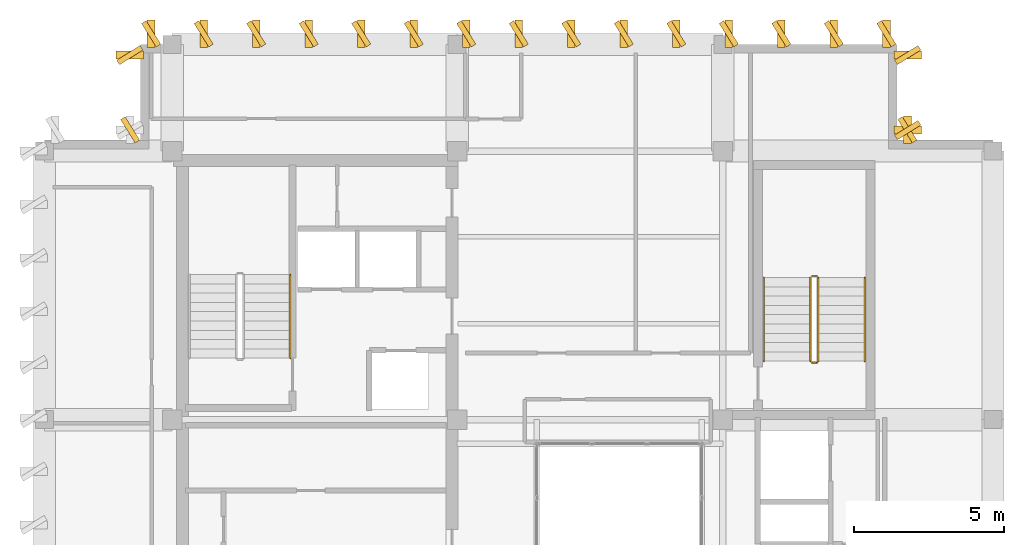
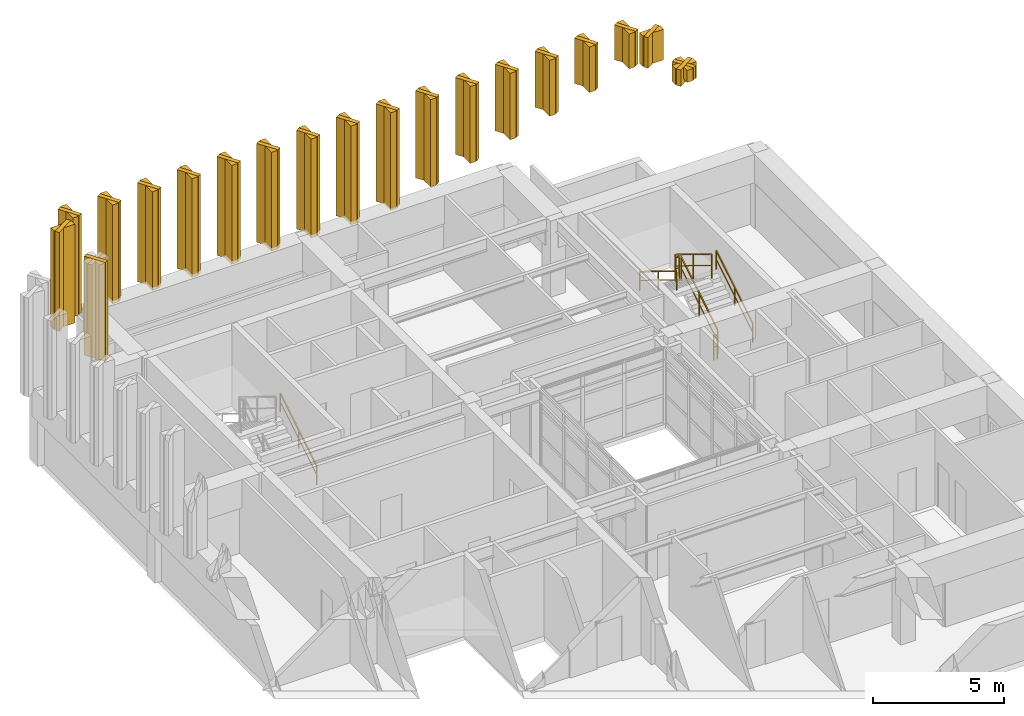
# One storey, part 11 of 11: 20 shading devices, 19 coverings, 7 railings.
"""IFC4 building model written with IfcOpenShell, lengths in metres."""

from ifc_helpers import new_model, si_unit, direction, frame, origin, origin_2d, place, context, subcontext, project, spatial, polyline, rectangle, outline, extrude, material, layer, layer_set, type_object, element, save


model = new_model("IFC4")

# Units and contexts
model_context = context("Model", 3, precision=1e-05, world=origin(), true_north=direction((0.0, 1.0)))
body_context = subcontext(model_context, "Body", "Model", "MODEL_VIEW")
ifc_project = project(units=[si_unit("LENGTHUNIT", "METRE"), si_unit("AREAUNIT", "SQUARE_METRE"), si_unit("VOLUMEUNIT", "CUBIC_METRE"), si_unit("PLANEANGLEUNIT", "RADIAN"), si_unit("MASSUNIT", "GRAM", prefix="KILO")], contexts=[model_context])

# Site, building, storey
site_placement = place(None, origin())
site = spatial("IfcSite", under=ifc_project, at=site_placement, CompositionType="ELEMENT")
building_placement = place(site_placement, origin())
building = spatial("IfcBuilding", under=site, at=building_placement, Name="Kundavana Baori Tower", CompositionType="ELEMENT")
storey_placement = place(building_placement, frame((0.0, 0.0, 346.699951171875)))
storey = spatial("IfcBuildingStorey", under=building, at=storey_placement, Name="L86", CompositionType="ELEMENT", Elevation=346.699951171875)

# Coverings
ifc_material_1 = material(Name="Cream-White Makrana Limestone on Concrete C40/50", Category="masonry")
ifc_layer = layer(ifc_material_1, 0.239990234375, Name="COV-SAIL-FIN")
ifc_layer_set = layer_set([ifc_layer], Name="Cream-White Makrana Limestone on Concrete C40/50")
covering_type = type_object("IfcCoveringType", Name="COV-SAIL-FIN", PredefinedType="CLADDING", material=ifc_layer_set)
covering_1_placement = place(storey_placement, frame((0.0, 0.0, 7.43359375)))
element("IfcCovering", 1, at=covering_1_placement, inside=storey, type_object=covering_type, Name="L86 Climbing Makrana White Limestone Sail Fin 037", PredefinedType="CLADDING", context=body_context, shape_type="SweptSolid", body=[
    extrude(outline(polyline([(39.820068359375, 42.199951171875), (40.080078125, 42.199951171875), (40.080078125, 43.1201171875), (39.820068359375, 43.1201171875), (39.820068359375, 42.199951171875)])), origin(), (0.0, 0.0, 1.0), 0.56640625),
])
covering_2_placement = place(storey_placement, frame((0.0, 0.0, 7.23876953125)))
element("IfcCovering", 2, at=covering_2_placement, inside=storey, type_object=covering_type, Name="L86 Climbing Makrana White Limestone Sail Fin 038", PredefinedType="CLADDING", context=body_context, shape_type="SweptSolid", body=[
    extrude(outline(polyline([(39.5, 42.52001953125), (40.419921875, 42.52001953125), (40.419921875, 42.780029296875), (39.5, 42.780029296875), (39.5, 42.52001953125)])), origin(), (0.0, 0.0, 1.0), 0.76123046875),
])
covering_3_placement = place(storey_placement, frame((0.0, 0.0, 6.57080078125)))
element("IfcCovering", 3, at=covering_3_placement, inside=storey, type_object=covering_type, Name="L86 Climbing Makrana White Limestone Sail Fin 039", PredefinedType="CLADDING", context=body_context, shape_type="SweptSolid", body=[
    extrude(outline(polyline([(39.5, 45.02001953125), (40.419921875, 45.02001953125), (40.419921875, 45.280029296875), (39.5, 45.280029296875), (39.5, 45.02001953125)])), origin(), (0.0, 0.0, 1.0), 1.42919921875),
])
covering_4_placement = place(storey_placement, frame((0.0, 0.0, 6.378662109375)))
element("IfcCovering", 4, at=covering_4_placement, inside=storey, type_object=covering_type, Name="L86 Climbing Makrana White Limestone Sail Fin 040", PredefinedType="CLADDING", context=body_context, shape_type="SweptSolid", body=[
    extrude(outline(polyline([(39.1201171875, 45.39990234375), (39.3798828125, 45.39990234375), (39.3798828125, 46.320068359375), (39.1201171875, 46.320068359375), (39.1201171875, 45.39990234375)])), origin(), (0.0, 0.0, 1.0), 1.621337890625),
])
covering_5_placement = place(storey_placement, frame((0.0, 0.0, 5.88427734375)))
element("IfcCovering", 5, at=covering_5_placement, inside=storey, type_object=covering_type, Name="L86 Climbing Makrana White Limestone Sail Fin 041", PredefinedType="CLADDING", context=body_context, shape_type="SweptSolid", body=[
    extrude(outline(polyline([(37.3701171875, 45.39990234375), (37.6298828125, 45.39990234375), (37.6298828125, 46.320068359375), (37.3701171875, 46.320068359375), (37.3701171875, 45.39990234375)])), origin(), (0.0, 0.0, 1.0), 2.11572265625),
])
covering_6_placement = place(storey_placement, frame((0.0, 0.0, 5.3935546875)))
element("IfcCovering", 6, at=covering_6_placement, inside=storey, type_object=covering_type, Name="L86 Climbing Makrana White Limestone Sail Fin 042", PredefinedType="CLADDING", context=body_context, shape_type="SweptSolid", body=[
    extrude(outline(polyline([(35.6201171875, 45.39990234375), (35.8798828125, 45.39990234375), (35.8798828125, 46.320068359375), (35.6201171875, 46.320068359375), (35.6201171875, 45.39990234375)])), origin(), (0.0, 0.0, 1.0), 2.6064453125),
])
covering_7_placement = place(storey_placement, frame((0.0, 0.0, 4.90625)))
element("IfcCovering", 7, at=covering_7_placement, inside=storey, type_object=covering_type, Name="L86 Climbing Makrana White Limestone Sail Fin 043", PredefinedType="CLADDING", context=body_context, shape_type="SweptSolid", body=[
    extrude(outline(polyline([(33.8701171875, 45.39990234375), (34.1298828125, 45.39990234375), (34.1298828125, 46.320068359375), (33.8701171875, 46.320068359375), (33.8701171875, 45.39990234375)])), origin(), (0.0, 0.0, 1.0), 3.09375),
])
covering_8_placement = place(storey_placement, frame((0.0, 0.0, 4.421875)))
element("IfcCovering", 8, at=covering_8_placement, inside=storey, type_object=covering_type, Name="L86 Climbing Makrana White Limestone Sail Fin 044", PredefinedType="CLADDING", context=body_context, shape_type="SweptSolid", body=[
    extrude(outline(polyline([(32.1201171875, 45.39990234375), (32.3798828125, 45.39990234375), (32.3798828125, 46.320068359375), (32.1201171875, 46.320068359375), (32.1201171875, 45.39990234375)])), origin(), (0.0, 0.0, 1.0), 3.578125),
])
covering_9_placement = place(storey_placement, frame((0.0, 0.0, 3.940673828125)))
element("IfcCovering", 9, at=covering_9_placement, inside=storey, type_object=covering_type, Name="L86 Climbing Makrana White Limestone Sail Fin 045", PredefinedType="CLADDING", context=body_context, shape_type="SweptSolid", body=[
    extrude(outline(polyline([(30.3701171875, 45.39990234375), (30.6298828125, 45.39990234375), (30.6298828125, 46.320068359375), (30.3701171875, 46.320068359375), (30.3701171875, 45.39990234375)])), origin(), (0.0, 0.0, 1.0), 4.059326171875),
])
covering_10_placement = place(storey_placement, frame((0.0, 0.0, 3.46240234375)))
element("IfcCovering", 10, at=covering_10_placement, inside=storey, type_object=covering_type, Name="L86 Climbing Makrana White Limestone Sail Fin 046", PredefinedType="CLADDING", context=body_context, shape_type="SweptSolid", body=[
    extrude(outline(polyline([(28.6201171875, 45.39990234375), (28.8798828125, 45.39990234375), (28.8798828125, 46.320068359375), (28.6201171875, 46.320068359375), (28.6201171875, 45.39990234375)])), origin(), (0.0, 0.0, 1.0), 4.53759765625),
])
covering_11_placement = place(storey_placement, frame((0.0, 0.0, 3.400146484375)))
element("IfcCovering", 11, at=covering_11_placement, inside=storey, type_object=covering_type, Name="L86 Climbing Makrana White Limestone Sail Fin 047", PredefinedType="CLADDING", context=body_context, shape_type="SweptSolid", body=[
    extrude(outline(polyline([(26.8701171875, 45.39990234375), (27.1298828125, 45.39990234375), (27.1298828125, 46.320068359375), (26.8701171875, 46.320068359375), (26.8701171875, 45.39990234375)])), origin(), (0.0, 0.0, 1.0), 4.599853515625),
])
covering_12_placement = place(storey_placement, frame((0.0, 0.0, 3.400146484375)))
element("IfcCovering", 12, at=covering_12_placement, inside=storey, type_object=covering_type, Name="L86 Climbing Makrana White Limestone Sail Fin 048", PredefinedType="CLADDING", context=body_context, shape_type="SweptSolid", body=[
    extrude(outline(polyline([(25.1201171875, 45.39990234375), (25.3798828125, 45.39990234375), (25.3798828125, 46.320068359375), (25.1201171875, 46.320068359375), (25.1201171875, 45.39990234375)])), origin(), (0.0, 0.0, 1.0), 4.599853515625),
])
covering_13_placement = place(storey_placement, frame((0.0, 0.0, 3.400146484375)))
element("IfcCovering", 13, at=covering_13_placement, inside=storey, type_object=covering_type, Name="L86 Climbing Makrana White Limestone Sail Fin 049", PredefinedType="CLADDING", context=body_context, shape_type="SweptSolid", body=[
    extrude(outline(polyline([(23.3701171875, 45.39990234375), (23.6298828125, 45.39990234375), (23.6298828125, 46.320068359375), (23.3701171875, 46.320068359375), (23.3701171875, 45.39990234375)])), origin(), (0.0, 0.0, 1.0), 4.599853515625),
])
covering_14_placement = place(storey_placement, frame((0.0, 0.0, 3.400146484375)))
element("IfcCovering", 14, at=covering_14_placement, inside=storey, type_object=covering_type, Name="L86 Climbing Makrana White Limestone Sail Fin 050", PredefinedType="CLADDING", context=body_context, shape_type="SweptSolid", body=[
    extrude(outline(polyline([(21.6201171875, 45.39990234375), (21.8798828125, 45.39990234375), (21.8798828125, 46.320068359375), (21.6201171875, 46.320068359375), (21.6201171875, 45.39990234375)])), origin(), (0.0, 0.0, 1.0), 4.599853515625),
])
covering_15_placement = place(storey_placement, frame((0.0, 0.0, 3.400146484375)))
element("IfcCovering", 15, at=covering_15_placement, inside=storey, type_object=covering_type, Name="L86 Climbing Makrana White Limestone Sail Fin 051", PredefinedType="CLADDING", context=body_context, shape_type="SweptSolid", body=[
    extrude(outline(polyline([(19.8701171875, 45.39990234375), (20.1298828125, 45.39990234375), (20.1298828125, 46.320068359375), (19.8701171875, 46.320068359375), (19.8701171875, 45.39990234375)])), origin(), (0.0, 0.0, 1.0), 4.599853515625),
])
covering_16_placement = place(storey_placement, frame((0.0, 0.0, 3.400146484375)))
element("IfcCovering", 16, at=covering_16_placement, inside=storey, type_object=covering_type, Name="L86 Climbing Makrana White Limestone Sail Fin 052", PredefinedType="CLADDING", context=body_context, shape_type="SweptSolid", body=[
    extrude(outline(polyline([(18.1201171875, 45.39990234375), (18.3798828125, 45.39990234375), (18.3798828125, 46.320068359375), (18.1201171875, 46.320068359375), (18.1201171875, 45.39990234375)])), origin(), (0.0, 0.0, 1.0), 4.599853515625),
])
covering_17_placement = place(storey_placement, frame((0.0, 0.0, 3.400146484375)))
element("IfcCovering", 17, at=covering_17_placement, inside=storey, type_object=covering_type, Name="L86 Climbing Makrana White Limestone Sail Fin 053", PredefinedType="CLADDING", context=body_context, shape_type="SweptSolid", body=[
    extrude(outline(polyline([(16.3701171875, 45.39990234375), (16.6298828125, 45.39990234375), (16.6298828125, 46.320068359375), (16.3701171875, 46.320068359375), (16.3701171875, 45.39990234375)])), origin(), (0.0, 0.0, 1.0), 4.599853515625),
])
covering_18_placement = place(storey_placement, frame((0.0, 0.0, 3.400146484375)))
element("IfcCovering", 18, at=covering_18_placement, inside=storey, type_object=covering_type, Name="L86 Climbing Makrana White Limestone Sail Fin 054", PredefinedType="CLADDING", context=body_context, shape_type="SweptSolid", body=[
    extrude(outline(polyline([(14.6201171875, 45.39990234375), (14.8798828125, 45.39990234375), (14.8798828125, 46.320068359375), (14.6201171875, 46.320068359375), (14.6201171875, 45.39990234375)])), origin(), (0.0, 0.0, 1.0), 4.599853515625),
])
covering_19_placement = place(storey_placement, frame((0.0, 0.0, 3.400146484375)))
element("IfcCovering", 19, at=covering_19_placement, inside=storey, type_object=covering_type, Name="L86 Climbing Makrana White Limestone Sail Fin 055", PredefinedType="CLADDING", context=body_context, shape_type="SweptSolid", body=[
    extrude(outline(polyline([(13.580078125, 45.02001953125), (14.5, 45.02001953125), (14.5, 45.280029296875), (13.580078125, 45.280029296875), (13.580078125, 45.02001953125)])), origin(), (0.0, 0.0, 1.0), 4.599853515625),
])

# Railings
ifc_material_2 = material(Name="Architectural Patinated Bronze Metalwork")
railing_type_1 = type_object("IfcRailingType", Name="RL-GRD-1150", PredefinedType="GUARDRAIL", material=ifc_material_2)
railing_1_placement = place(storey_placement, frame((36.97998046875, 34.949951171875, 0.18994140625)))
element("IfcRailing", 20, at=railing_1_placement, inside=storey, type_object=railing_type_1, Name="L86 ST3 stair guard 1", PredefinedType="GUARDRAIL", context=body_context, shape_type="SweptSolid", body=[
    extrude(rectangle(XDim=0.048095703125, YDim=0.048095703125, at=origin_2d()), frame((0.0, 0.0, 1.1259765625), z_axis=(0.0, 0.852576590321, 0.522602293945), x_axis=(-1.0, 0.0, 0.0)), (0.0, 0.0, 1.0), 3.2724609375),
    extrude(rectangle(XDim=0.03125, YDim=0.03125, at=origin_2d()), frame((0.0, 0.0, 0.597900390625), z_axis=(0.0, 0.852576590321, 0.522602293945), x_axis=(-1.0, 0.0, 0.0)), (0.0, 0.0, 1.0), 3.2724609375),
    extrude(rectangle(XDim=0.0419921875, YDim=0.0419921875, at=origin_2d()), origin(), (0.0, 0.0, 1.0), 1.101806640625),
    extrude(rectangle(XDim=0.0419921875, YDim=0.0419921875, at=origin_2d()), frame((0.0, 1.39501953125, 0.85498046875)), (0.0, 0.0, 1.0), 1.101806640625),
    extrude(rectangle(XDim=0.0419921875, YDim=0.0419921875, at=origin_2d()), frame((0.0, 2.7900390625, 1.710205078125)), (0.0, 0.0, 1.0), 1.101806640625),
])
railing_2_placement = place(storey_placement, frame((36.929931640625, 37.7900390625, 1.900146484375)))
element("IfcRailing", 21, at=railing_2_placement, inside=storey, type_object=railing_type_1, Name="L86 ST3 stair guard 2", PredefinedType="GUARDRAIL", context=body_context, shape_type="SweptSolid", body=[
    extrude(rectangle(XDim=0.048095703125, YDim=0.048095703125, at=origin_2d()), frame((0.0, 0.0, 1.1259765625), z_axis=(-1.0, 0.0, 0.0), x_axis=(0.0, -1.0, 0.0)), (0.0, 0.0, 1.0), 0.159912109375),
    extrude(rectangle(XDim=0.03125, YDim=0.03125, at=origin_2d()), frame((0.0, 0.0, 0.597900390625), z_axis=(-1.0, 0.0, 0.0), x_axis=(0.0, -1.0, 0.0)), (0.0, 0.0, 1.0), 0.159912109375),
    extrude(rectangle(XDim=0.0419921875, YDim=0.0419921875, at=origin_2d()), origin(), (0.0, 0.0, 1.0), 1.101806640625),
    extrude(rectangle(XDim=0.0419921875, YDim=0.0419921875, at=origin_2d()), frame((-0.159912109375, 0.0, 0.0)), (0.0, 0.0, 1.0), 1.101806640625),
])
railing_3_placement = place(storey_placement, frame((36.719970703125, 37.739990234375, 2.090087890625)))
element("IfcRailing", 22, at=railing_3_placement, inside=storey, type_object=railing_type_1, Name="L86 ST3 stair guard 3", PredefinedType="GUARDRAIL", context=body_context, shape_type="SweptSolid", body=[
    extrude(rectangle(XDim=0.048095703125, YDim=0.048095703125, at=origin_2d()), frame((0.0, 0.0, 1.1259765625), z_axis=(0.0, -0.852609830418, 0.522548061975), x_axis=(1.0, 0.0, 0.0)), (0.0, 0.0, 1.0), 3.2724609375),
    extrude(rectangle(XDim=0.03125, YDim=0.03125, at=origin_2d()), frame((0.0, 0.0, 0.597900390625), z_axis=(0.0, -0.852609830418, 0.522548061975), x_axis=(1.0, 0.0, 0.0)), (0.0, 0.0, 1.0), 3.2724609375),
    extrude(rectangle(XDim=0.0419921875, YDim=0.0419921875, at=origin_2d()), origin(), (0.0, 0.0, 1.0), 1.101806640625),
    extrude(rectangle(XDim=0.0419921875, YDim=0.0419921875, at=origin_2d()), frame((0.0, -1.39501953125, 0.85498046875)), (0.0, 0.0, 1.0), 1.101806640625),
    extrude(rectangle(XDim=0.0419921875, YDim=0.0419921875, at=origin_2d()), frame((0.0, -2.7900390625, 1.7099609375)), (0.0, 0.0, 1.0), 1.101806640625),
])
railing_4_placement = place(storey_placement, frame((36.929931640625, 34.89990234375, 0.0)))
element("IfcRailing", 23, at=railing_4_placement, inside=storey, type_object=railing_type_1, Name="L86 ST3 stair guard 4", PredefinedType="GUARDRAIL", context=body_context, shape_type="SweptSolid", body=[
    extrude(rectangle(XDim=0.048095703125, YDim=0.048095703125, at=origin_2d()), frame((0.0, 0.0, 1.1259765625), z_axis=(-1.0, 0.0, 0.0), x_axis=(0.0, -1.0, 0.0)), (0.0, 0.0, 1.0), 0.159912109375),
    extrude(rectangle(XDim=0.03125, YDim=0.03125, at=origin_2d()), frame((0.0, 0.0, 0.597900390625), z_axis=(-1.0, 0.0, 0.0), x_axis=(0.0, -1.0, 0.0)), (0.0, 0.0, 1.0), 0.159912109375),
    extrude(rectangle(XDim=0.0419921875, YDim=0.0419921875, at=origin_2d()), origin(), (0.0, 0.0, 1.0), 1.101806640625),
    extrude(rectangle(XDim=0.0419921875, YDim=0.0419921875, at=origin_2d()), frame((-0.159912109375, 0.0, 0.0)), (0.0, 0.0, 1.0), 1.101806640625),
])
ifc_material_3 = material(Name="Architectural Patinated Bronze Metalwork")
railing_type_2 = type_object("IfcRailingType", Name="RL-HND-920", PredefinedType="HANDRAIL", material=ifc_material_3)
for number, where, name in (
    (24, (19.389892578125, 35.050048828125, 0.18994140625), "L86 ST2 stair handrail 1"),
    (25, (38.530029296875, 34.949951171875, 0.18994140625), "L86 ST3 stair handrail 1"),
):
    element("IfcRailing", number, at=place(storey_placement, frame(where)), inside=storey, type_object=railing_type_2, Name=name, PredefinedType="HANDRAIL", context=body_context, shape_type="SweptSolid", body=[
        extrude(rectangle(XDim=0.048095703125, YDim=0.048095703125, at=origin_2d()), frame((0.0, 0.0, 0.8759765625), z_axis=(0.0, 0.852576590321, 0.522602293945), x_axis=(-1.0, 0.0, 0.0)), (0.0, 0.0, 1.0), 3.2724609375),
        extrude(rectangle(XDim=0.03125, YDim=0.03125, at=origin_2d()), frame((0.0, 0.0, 0.468017578125), z_axis=(0.0, 0.852576590321, 0.522602293945), x_axis=(-1.0, 0.0, 0.0)), (0.0, 0.0, 1.0), 3.2724609375),
        extrude(rectangle(XDim=0.0419921875, YDim=0.0419921875, at=origin_2d()), origin(), (0.0, 0.0, 1.0), 0.851806640625),
        extrude(rectangle(XDim=0.0419921875, YDim=0.0419921875, at=origin_2d()), frame((0.0, 1.39501953125, 0.85498046875)), (0.0, 0.0, 1.0), 0.851806640625),
        extrude(rectangle(XDim=0.0419921875, YDim=0.0419921875, at=origin_2d()), frame((0.0, 2.7900390625, 1.710205078125)), (0.0, 0.0, 1.0), 0.851806640625),
    ])
railing_5_placement = place(storey_placement, frame((35.169921875, 37.739990234375, 2.090087890625)))
element("IfcRailing", 26, at=railing_5_placement, inside=storey, type_object=railing_type_2, Name="L86 ST3 stair handrail 2", PredefinedType="HANDRAIL", context=body_context, shape_type="SweptSolid", body=[
    extrude(rectangle(XDim=0.048095703125, YDim=0.048095703125, at=origin_2d()), frame((0.0, 0.0, 0.8759765625), z_axis=(0.0, -0.852609830418, 0.522548061975), x_axis=(1.0, 0.0, 0.0)), (0.0, 0.0, 1.0), 3.2724609375),
    extrude(rectangle(XDim=0.03125, YDim=0.03125, at=origin_2d()), frame((0.0, 0.0, 0.468017578125), z_axis=(0.0, -0.852609830418, 0.522548061975), x_axis=(1.0, 0.0, 0.0)), (0.0, 0.0, 1.0), 3.2724609375),
    extrude(rectangle(XDim=0.0419921875, YDim=0.0419921875, at=origin_2d()), origin(), (0.0, 0.0, 1.0), 0.851806640625),
    extrude(rectangle(XDim=0.0419921875, YDim=0.0419921875, at=origin_2d()), frame((0.0, -1.39501953125, 0.85498046875)), (0.0, 0.0, 1.0), 0.851806640625),
    extrude(rectangle(XDim=0.0419921875, YDim=0.0419921875, at=origin_2d()), frame((0.0, -2.7900390625, 1.7099609375)), (0.0, 0.0, 1.0), 0.851806640625),
])

# Shading devices
ifc_material_4 = material(Name="Red-Buff Dholpur Sandstone Cladding on Concrete C40/50", Category="masonry")
shading_device_type = type_object("IfcShadingDeviceType", Name="SHD-FIN-920", PredefinedType="JALOUSIE", material=ifc_material_4)
shading_device_1_placement = place(storey_placement, frame((39.949951171875, 42.659912109375, 7.43359375), z_axis=(0.0, 0.0, 1.0), x_axis=(0.848048096156, 0.529919264233, 0.0)))
element("IfcShadingDevice", 27, at=shading_device_1_placement, inside=storey, type_object=shading_device_type, Name="L86 Sweeping Makrana Limestone Crown Sail Blade 037", PredefinedType="JALOUSIE", context=body_context, shape_type="SweptSolid", body=[
    extrude(rectangle(XDim=0.179931640625, YDim=0.919921875, at=origin_2d()), origin(), (0.0, 0.0, 1.0), 0.56640625),
])
shading_device_2_placement = place(storey_placement, frame((39.9599609375, 42.64990234375, 7.23876953125), z_axis=(0.0, 0.0, 1.0), x_axis=(-0.529919264233, 0.848048096156, 0.0)))
element("IfcShadingDevice", 28, at=shading_device_2_placement, inside=storey, type_object=shading_device_type, Name="L86 Sweeping Makrana Limestone Crown Sail Blade 038", PredefinedType="JALOUSIE", context=body_context, shape_type="SweptSolid", body=[
    extrude(rectangle(XDim=0.179931640625, YDim=0.919921875, at=origin_2d()), origin(), (0.0, 0.0, 1.0), 0.761474609375),
])
shading_device_3_placement = place(storey_placement, frame((39.9599609375, 45.14990234375, 6.57080078125), z_axis=(0.0, 0.0, 1.0), x_axis=(-0.529919264233, 0.848048096156, 0.0)))
element("IfcShadingDevice", 29, at=shading_device_3_placement, inside=storey, type_object=shading_device_type, Name="L86 Sweeping Makrana Limestone Crown Sail Blade 039", PredefinedType="JALOUSIE", context=body_context, shape_type="SweptSolid", body=[
    extrude(rectangle(XDim=0.179931640625, YDim=0.919921875, at=origin_2d()), origin(), (0.0, 0.0, 1.0), 1.42919921875),
])
shading_device_4_placement = place(storey_placement, frame((39.25, 45.860107421875, 6.378662109375), z_axis=(0.0, 0.0, 1.0), x_axis=(0.848048096156, 0.529919264233, 0.0)))
element("IfcShadingDevice", 30, at=shading_device_4_placement, inside=storey, type_object=shading_device_type, Name="L86 Sweeping Makrana Limestone Crown Sail Blade 040", PredefinedType="JALOUSIE", context=body_context, shape_type="SweptSolid", body=[
    extrude(rectangle(XDim=0.179931640625, YDim=0.919921875, at=origin_2d()), origin(), (0.0, 0.0, 1.0), 1.62158203125),
])
shading_device_5_placement = place(storey_placement, frame((37.5, 45.860107421875, 5.88427734375), z_axis=(0.0, 0.0, 1.0), x_axis=(0.848048096156, 0.529919264233, 0.0)))
element("IfcShadingDevice", 31, at=shading_device_5_placement, inside=storey, type_object=shading_device_type, Name="L86 Sweeping Makrana Limestone Crown Sail Blade 041", PredefinedType="JALOUSIE", context=body_context, shape_type="SweptSolid", body=[
    extrude(rectangle(XDim=0.179931640625, YDim=0.919921875, at=origin_2d()), origin(), (0.0, 0.0, 1.0), 2.11572265625),
])
shading_device_6_placement = place(storey_placement, frame((35.75, 45.860107421875, 5.3935546875), z_axis=(0.0, 0.0, 1.0), x_axis=(0.848048096156, 0.529919264233, 0.0)))
element("IfcShadingDevice", 32, at=shading_device_6_placement, inside=storey, type_object=shading_device_type, Name="L86 Sweeping Makrana Limestone Crown Sail Blade 042", PredefinedType="JALOUSIE", context=body_context, shape_type="SweptSolid", body=[
    extrude(rectangle(XDim=0.179931640625, YDim=0.919921875, at=origin_2d()), origin(), (0.0, 0.0, 1.0), 2.6064453125),
])
shading_device_7_placement = place(storey_placement, frame((34.0, 45.860107421875, 4.90625), z_axis=(0.0, 0.0, 1.0), x_axis=(0.848048096156, 0.529919264233, 0.0)))
element("IfcShadingDevice", 33, at=shading_device_7_placement, inside=storey, type_object=shading_device_type, Name="L86 Sweeping Makrana Limestone Crown Sail Blade 043", PredefinedType="JALOUSIE", context=body_context, shape_type="SweptSolid", body=[
    extrude(rectangle(XDim=0.179931640625, YDim=0.919921875, at=origin_2d()), origin(), (0.0, 0.0, 1.0), 3.093994140625),
])
shading_device_8_placement = place(storey_placement, frame((32.25, 45.860107421875, 4.421875), z_axis=(0.0, 0.0, 1.0), x_axis=(0.848048096156, 0.529919264233, 0.0)))
element("IfcShadingDevice", 34, at=shading_device_8_placement, inside=storey, type_object=shading_device_type, Name="L86 Sweeping Makrana Limestone Crown Sail Blade 044", PredefinedType="JALOUSIE", context=body_context, shape_type="SweptSolid", body=[
    extrude(rectangle(XDim=0.179931640625, YDim=0.919921875, at=origin_2d()), origin(), (0.0, 0.0, 1.0), 3.578125),
])
shading_device_9_placement = place(storey_placement, frame((30.5, 45.860107421875, 3.94091796875), z_axis=(0.0, 0.0, 1.0), x_axis=(0.848048096156, 0.529919264233, 0.0)))
element("IfcShadingDevice", 35, at=shading_device_9_placement, inside=storey, type_object=shading_device_type, Name="L86 Sweeping Makrana Limestone Crown Sail Blade 045", PredefinedType="JALOUSIE", context=body_context, shape_type="SweptSolid", body=[
    extrude(rectangle(XDim=0.179931640625, YDim=0.919921875, at=origin_2d()), origin(), (0.0, 0.0, 1.0), 4.059326171875),
])
shading_device_10_placement = place(storey_placement, frame((28.75, 45.860107421875, 3.46240234375), z_axis=(0.0, 0.0, 1.0), x_axis=(0.848048096156, 0.529919264233, 0.0)))
element("IfcShadingDevice", 36, at=shading_device_10_placement, inside=storey, type_object=shading_device_type, Name="L86 Sweeping Makrana Limestone Crown Sail Blade 046", PredefinedType="JALOUSIE", context=body_context, shape_type="SweptSolid", body=[
    extrude(rectangle(XDim=0.179931640625, YDim=0.919921875, at=origin_2d()), origin(), (0.0, 0.0, 1.0), 4.53759765625),
])
for number, where, z_axis, x_axis, name in (
    (37, (27.0, 45.860107421875, 3.39990234375), (0.0, 0.0, 1.0), (0.848048096156, 0.529919264233, 0.0), "L86 Sweeping Makrana Limestone Crown Sail Blade 047"),
    (38, (25.25, 45.860107421875, 3.39990234375), (0.0, 0.0, 1.0), (0.848048096156, 0.529919264233, 0.0), "L86 Sweeping Makrana Limestone Crown Sail Blade 048"),
    (39, (23.5, 45.860107421875, 3.39990234375), (0.0, 0.0, 1.0), (0.848048096156, 0.529919264233, 0.0), "L86 Sweeping Makrana Limestone Crown Sail Blade 049"),
    (40, (21.75, 45.860107421875, 3.39990234375), (0.0, 0.0, 1.0), (0.848048096156, 0.529919264233, 0.0), "L86 Sweeping Makrana Limestone Crown Sail Blade 050"),
    (41, (20.0, 45.860107421875, 3.39990234375), (0.0, 0.0, 1.0), (0.848048096156, 0.529919264233, 0.0), "L86 Sweeping Makrana Limestone Crown Sail Blade 051"),
    (42, (18.25, 45.860107421875, 3.39990234375), (0.0, 0.0, 1.0), (0.848048096156, 0.529919264233, 0.0), "L86 Sweeping Makrana Limestone Crown Sail Blade 052"),
    (43, (16.5, 45.860107421875, 3.39990234375), (0.0, 0.0, 1.0), (0.848048096156, 0.529919264233, 0.0), "L86 Sweeping Makrana Limestone Crown Sail Blade 053"),
    (44, (14.75, 45.860107421875, 3.39990234375), (0.0, 0.0, 1.0), (0.848048096156, 0.529919264233, 0.0), "L86 Sweeping Makrana Limestone Crown Sail Blade 054"),
    (45, (14.0400390625, 45.14990234375, 3.39990234375), (0.0, 0.0, 1.0), (-0.529919264233, 0.848048096156, 0.0), "L86 Sweeping Makrana Limestone Crown Sail Blade 055"),
    (46, (14.050048828125, 42.659912109375, 3.39990234375), (0.0, 0.0, 1.0), (0.848048096156, 0.529919264233, 0.0), "L86 Sweeping Makrana Limestone Crown Sail Blade 057"),
):
    element("IfcShadingDevice", number, at=place(storey_placement, frame(where, z_axis=z_axis, x_axis=x_axis)), inside=storey, type_object=shading_device_type, Name=name, PredefinedType="JALOUSIE", context=body_context, shape_type="SweptSolid", body=[
        extrude(rectangle(XDim=0.179931640625, YDim=0.919921875, at=origin_2d()), origin(), (0.0, 0.0, 1.0), 4.60009765625),
    ])

save(model, "model.ifc")
